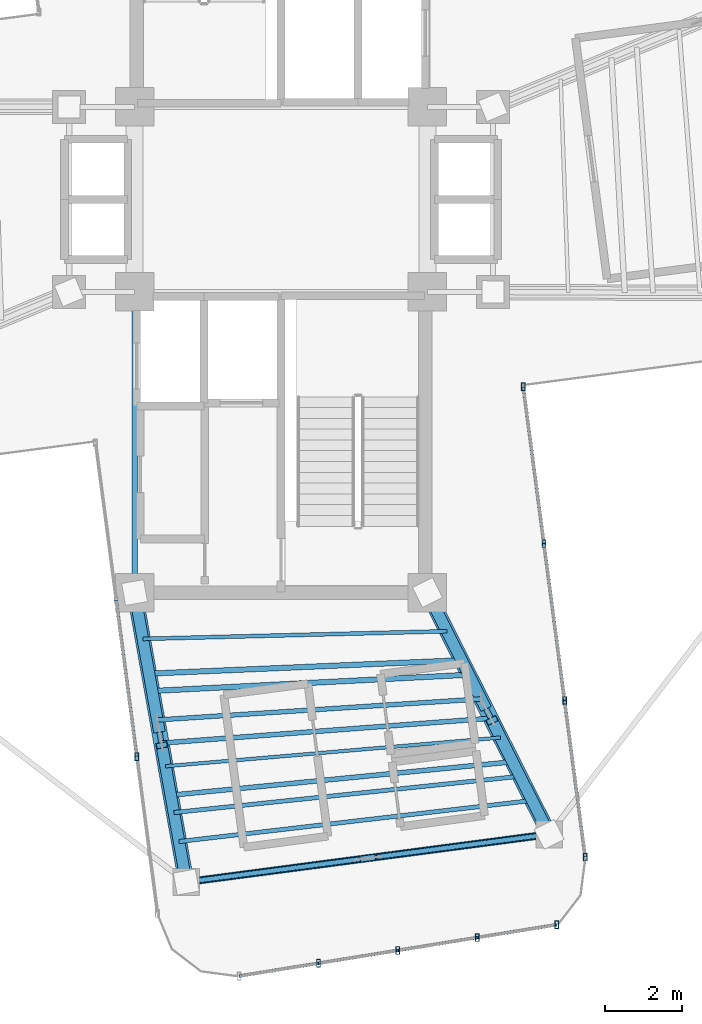
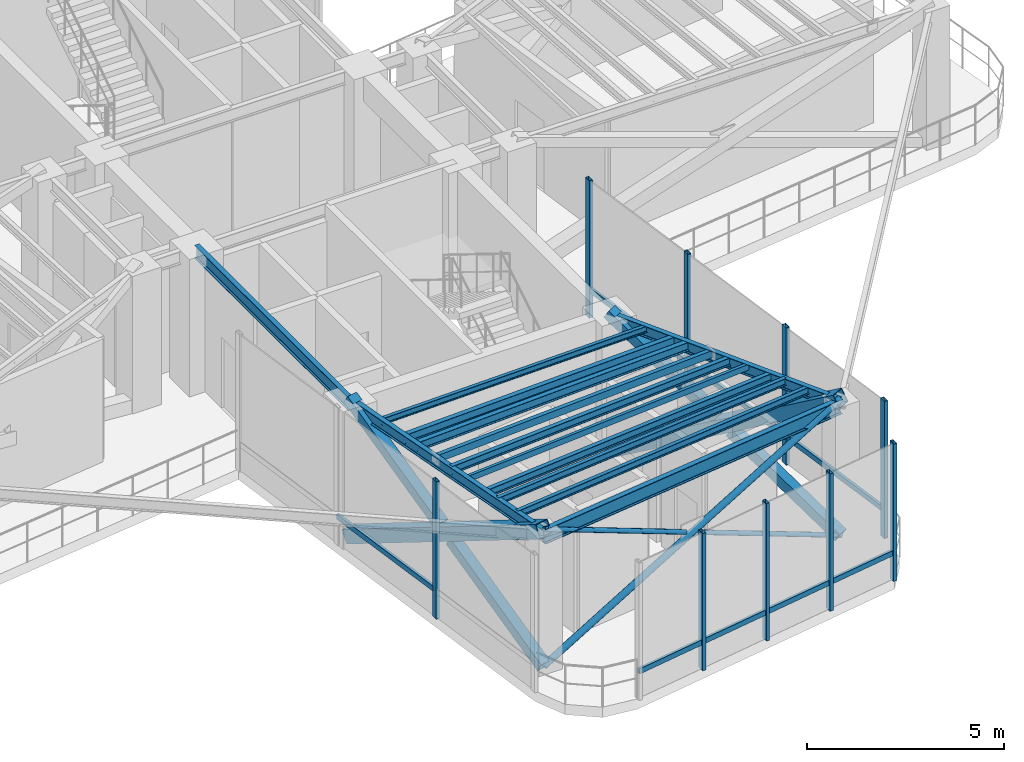
# One storey, part 3 of 17: 26 members, 13 beams, 3 elements without a shape of their own.
"""IFC4 building model written with IfcOpenShell, lengths in metres."""

from ifc_helpers import new_model, si_unit, direction, frame, origin, origin_2d, place, context, subcontext, project, spatial, hollow_rectangle, hollow_circle, i_section, extrude, source, transform, mapped, material, material_profile, profile_set, type_object, element, aggregate, save


model = new_model("IFC4")

# Units and contexts
model_context = context("Model", 3, precision=1e-05, world=origin(), true_north=direction((0.0, 1.0)))
body_context = subcontext(model_context, "Body", "Model", "MODEL_VIEW")
ifc_project = project(units=[si_unit("LENGTHUNIT", "METRE"), si_unit("AREAUNIT", "SQUARE_METRE"), si_unit("VOLUMEUNIT", "CUBIC_METRE"), si_unit("PLANEANGLEUNIT", "RADIAN"), si_unit("MASSUNIT", "GRAM", prefix="KILO")], contexts=[model_context])

# Site, building, storey
site_placement = place(None, origin())
site = spatial("IfcSite", under=ifc_project, at=site_placement, CompositionType="ELEMENT")
building_placement = place(site_placement, origin())
building = spatial("IfcBuilding", under=site, at=building_placement, Name="Sahyath Konkavel Grand Hotel", CompositionType="ELEMENT")
storey_placement = place(building_placement, frame((0.0, 0.0, 264.60009765625)))
storey = spatial("IfcBuildingStorey", under=building, at=storey_placement, Name="L74", CompositionType="ELEMENT", Elevation=264.60009765625)

# Beams
ifc_material_1 = material(Name="Steel E350", Category="steel")
ifc_material_profile_1 = material_profile(ifc_material_1, i_section(OverallWidth=0.139892578125, OverallDepth=0.39990234375, WebThickness=0.0087890625, FlangeThickness=0.01611328125, FilletRadius=0.013916015625, at=origin_2d()), Name="ISMB 400")
ifc_profile_set_1 = profile_set([ifc_material_profile_1], Name="Steel E350")
beam_type_1 = type_object("IfcBeamType", Name="BM-ISMB400", PredefinedType="BEAM", material=ifc_profile_set_1)
shared_shape_1 = source(origin(), body_context, "Body", "SweptSolid", [
    extrude(i_section(OverallWidth=0.139892578125, OverallDepth=0.39990234375, WebThickness=0.0087890625, FlangeThickness=0.01611328125, FilletRadius=0.013916015625, at=origin_2d()), origin(), (0.0, 0.0, 1.0), 7.800048828125),
])
beam_1_placement = place(storey_placement, frame((-3.800048828125, -10.199951171875, 4.059814453125), z_axis=(0.0, 1.0, 0.0), x_axis=(-1.0, 0.0, 0.0)))
element("IfcBeam", 1, at=beam_1_placement, inside=storey, type_object=beam_type_1, Name="str:bm:L74:SC-W", PredefinedType="BEAM", context=body_context, shape_type="MappedRepresentation", body=[
    mapped(shared_shape_1, transform((0.0, 0.0, 0.0), scale=1.0)),
])
ifc_material_profile_2 = material_profile(ifc_material_1, i_section(OverallWidth=0.139892578125, OverallDepth=0.35009765625, WebThickness=0.008056640625, FlangeThickness=0.01416015625, FilletRadius=0.013916015625, at=origin_2d()), Name="ISMB 350")
ifc_profile_set_2 = profile_set([ifc_material_profile_2], Name="Steel E350")
beam_type_2 = type_object("IfcBeamType", Name="BM-ISMB350", PredefinedType="BEAM", material=ifc_profile_set_2)
shared_shape_2 = source(origin(), body_context, "Body", "SweptSolid", [
    extrude(i_section(OverallWidth=0.139892578125, OverallDepth=0.35009765625, WebThickness=0.008056640625, FlangeThickness=0.01416015625, FilletRadius=0.013916015625, at=origin_2d()), origin(), (0.0, 0.0, 1.0), 7.631103515625),
])
beam_2_placement = place(storey_placement, frame((-3.800048828125, -10.199951171875, 4.0849609375), z_axis=(0.175734167088, -0.984437658015, 0.0), x_axis=(0.984437658015, 0.175734167088, 0.0)))
element("IfcBeam", 2, at=beam_2_placement, inside=storey, type_object=beam_type_2, Name="L74 Cruciform Radial Girder SA", PredefinedType="BEAM", context=body_context, shape_type="MappedRepresentation", body=[
    mapped(shared_shape_2, transform((0.0, 0.0, 0.0), scale=1.0)),
])
shared_shape_3 = source(origin(), body_context, "Body", "SweptSolid", [
    extrude(i_section(OverallWidth=0.139892578125, OverallDepth=0.35009765625, WebThickness=0.008056640625, FlangeThickness=0.01416015625, FilletRadius=0.013916015625, at=origin_2d()), origin(), (0.0, 0.0, 1.0), 7.0234375),
])
beam_3_placement = place(storey_placement, frame((3.800048828125, -10.199951171875, 4.0849609375), z_axis=(0.449881274382, -0.893088371305, 0.0), x_axis=(0.893088371305, 0.449881274382, 0.0)))
element("IfcBeam", 3, at=beam_3_placement, inside=storey, type_object=beam_type_2, Name="L74 Cruciform Radial Girder SB", PredefinedType="BEAM", context=body_context, shape_type="MappedRepresentation", body=[
    mapped(shared_shape_3, transform((0.0, 0.0, 0.0), scale=1.0)),
])
ifc_material_profile_3 = material_profile(ifc_material_1, i_section(OverallWidth=0.14990234375, OverallDepth=0.449951171875, WebThickness=0.009521484375, FlangeThickness=0.017333984375, FilletRadius=0.014892578125, at=origin_2d()), Name="ISMB 450")
ifc_profile_set_3 = profile_set([ifc_material_profile_3], Name="Steel E350")
beam_type_3 = type_object("IfcBeamType", Name="BM-ISMB450", PredefinedType="BEAM", material=ifc_profile_set_3)
shared_shape_4 = source(origin(), body_context, "Body", "SweptSolid", [
    extrude(i_section(OverallWidth=0.14990234375, OverallDepth=0.449951171875, WebThickness=0.009521484375, FlangeThickness=0.017333984375, FilletRadius=0.014892578125, at=origin_2d()), origin(), (0.0, 0.0, 1.0), 9.5),
])
beam_4_placement = place(storey_placement, frame((-2.458984375, -17.71240234375, 4.034912109375), z_axis=(0.991444933556, 0.130525643939, 0.0), x_axis=(-0.130525643939, 0.991444933556, 0.0)))
element("IfcBeam", 4, at=beam_4_placement, inside=storey, type_object=beam_type_3, Name="L74 Wing Tip Edge Beam S", PredefinedType="BEAM", context=body_context, shape_type="MappedRepresentation", body=[
    mapped(shared_shape_4, transform((0.0, 0.0, 0.0), scale=1.0)),
])
ifc_material_profile_4 = material_profile(ifc_material_1, i_section(OverallWidth=0.139892578125, OverallDepth=0.27490234375, WebThickness=0.00634765625, FlangeThickness=0.0087890625, FilletRadius=0.012939453125, at=origin_2d()), Name="ISLB 275")
ifc_profile_set_4 = profile_set([ifc_material_profile_4], Name="Steel E350")
beam_type_4 = type_object("IfcBeamType", Name="BM-ISLB275", PredefinedType="BEAM", material=ifc_profile_set_4)
shared_shape_5 = source(origin(), body_context, "Body", "SweptSolid", [
    extrude(i_section(OverallWidth=0.139892578125, OverallDepth=0.27490234375, WebThickness=0.00634765625, FlangeThickness=0.0087890625, FilletRadius=0.012939453125, at=origin_2d()), origin(), (0.0, 0.0, 1.0), 8.11669921875),
])
beam_5_placement = place(storey_placement, frame((-3.424560546875, -12.303466796875, 4.122314453125), z_axis=(0.999084879956, 0.042771516718, 0.0), x_axis=(-0.042771516718, 0.999084879956, 0.0)))
element("IfcBeam", 5, at=beam_5_placement, inside=storey, type_object=beam_type_4, Name="L74 Secondary Floor Beam S-1", PredefinedType="BEAM", context=body_context, shape_type="MappedRepresentation", body=[
    mapped(shared_shape_5, transform((0.0, 0.0, 0.0), scale=1.0)),
])
ifc_material_profile_5 = material_profile(ifc_material_1, i_section(OverallWidth=0.125, OverallDepth=0.25, WebThickness=0.0068359375, FlangeThickness=0.012451171875, FilletRadius=0.012939453125, at=origin_2d()), Name="ISMB 250")
ifc_profile_set_5 = profile_set([ifc_material_profile_5], Name="Steel E350")
beam_type_5 = type_object("IfcBeamType", Name="BM-ISMB250", PredefinedType="BEAM", material=ifc_profile_set_5)
shared_shape_6 = source(origin(), body_context, "Body", "SweptSolid", [
    extrude(i_section(OverallWidth=0.125, OverallDepth=0.25, WebThickness=0.0068359375, FlangeThickness=0.012451171875, FilletRadius=0.012939453125, at=origin_2d()), origin(), (0.0, 0.0, 1.0), 8.570068359375),
])
beam_6_placement = place(storey_placement, frame((-3.102783203125, -14.1064453125, 4.135009765625), z_axis=(0.997165854664, 0.075234688098, 0.0), x_axis=(-0.075234688098, 0.997165854664, 0.0)))
element("IfcBeam", 6, at=beam_6_placement, inside=storey, type_object=beam_type_5, Name="L74 Secondary Floor Beam S-2", PredefinedType="BEAM", context=body_context, shape_type="MappedRepresentation", body=[
    mapped(shared_shape_6, transform((0.0, 0.0, 0.0), scale=1.0)),
])
ifc_material_profile_6 = material_profile(ifc_material_1, i_section(OverallWidth=0.110107421875, OverallDepth=0.22509765625, WebThickness=0.006591796875, FlangeThickness=0.01171875, FilletRadius=0.011962890625, at=origin_2d()), Name="ISMB 225")
ifc_profile_set_6 = profile_set([ifc_material_profile_6], Name="Steel E350")
beam_type_6 = type_object("IfcBeamType", Name="BM-ISMB225", PredefinedType="BEAM", material=ifc_profile_set_6)
shared_shape_7 = source(origin(), body_context, "Body", "SweptSolid", [
    extrude(i_section(OverallWidth=0.110107421875, OverallDepth=0.22509765625, WebThickness=0.006591796875, FlangeThickness=0.01171875, FilletRadius=0.011962890625, at=origin_2d()), origin(), (0.0, 0.0, 1.0), 9.03173828125),
])
beam_7_placement = place(storey_placement, frame((-2.781005859375, -15.909423828125, 4.1474609375), z_axis=(0.99454153435, 0.104341441688, 0.0), x_axis=(-0.104341441688, 0.99454153435, 0.0)))
element("IfcBeam", 7, at=beam_7_placement, inside=storey, type_object=beam_type_6, Name="L74 Secondary Floor Beam S-3", PredefinedType="BEAM", context=body_context, shape_type="MappedRepresentation", body=[
    mapped(shared_shape_7, transform((0.0, 0.0, 0.0), scale=1.0)),
])

# Members
ifc_material_2 = material(Name="Steel E450", Category="steel")
ifc_material_profile_7 = material_profile(ifc_material_2, hollow_rectangle(XDim=0.39990234375, YDim=0.39990234375, WallThickness=0.02001953125, at=origin_2d()), Name="SHS 400x400x20")
ifc_profile_set_7 = profile_set([ifc_material_profile_7], Name="Steel E450")
member_type_1 = type_object("IfcMemberType", Name="BR-SHS400", PredefinedType="BRACE", material=ifc_profile_set_7)
shared_shape_8 = source(origin(), body_context, "Body", "SweptSolid", [
    extrude(hollow_rectangle(XDim=0.39990234375, YDim=0.39990234375, WallThickness=0.02001953125, at=origin_2d()), origin(), (0.0, 0.0, 1.0), 8.72998046875),
])
member_1_placement = place(storey_placement, frame((-3.800048828125, -10.199951171875, 0.010009765625), z_axis=(0.153615636754, -0.860532816049, 0.485680459404), x_axis=(0.984437658015, 0.175734167088, 0.0)))
element("IfcMember", 8, at=member_1_placement, inside=storey, type_object=member_type_1, Name="L74 Core Outrigger Truss SA Continuous Diagonal 1", PredefinedType="BRACE", context=body_context, shape_type="MappedRepresentation", body=[
    mapped(shared_shape_8, transform((0.0, 0.0, 0.0), scale=1.0)),
])
ifc_material_profile_8 = material_profile(ifc_material_2, hollow_rectangle(XDim=0.300048828125, YDim=0.300048828125, WallThickness=0.01611328125, at=origin_2d()), Name="SHS 300x300x16")
ifc_profile_set_8 = profile_set([ifc_material_profile_8], Name="Steel E450")
member_type_2 = type_object("IfcMemberType", Name="BR-SHS300", PredefinedType="BRACE", material=ifc_profile_set_8)
shared_shape_9 = source(origin(), body_context, "Body", "SweptSolid", [
    extrude(hollow_rectangle(XDim=0.300048828125, YDim=0.300048828125, WallThickness=0.01611328125, at=origin_2d()), origin(), (0.0, 0.0, 1.0), 4.124755859375),
])
member_2_placement = place(storey_placement, frame((-2.458984375, -17.71240234375, 0.010009765625), z_axis=(-0.153654190825, 0.860546332978, 0.485644312682), x_axis=(-0.984430504714, -0.175774234145, 0.0)))
element("IfcMember", 9, at=member_2_placement, inside=storey, type_object=member_type_2, Name="L74 Core Outrigger Truss SA Split Lower Diagonal 2A", PredefinedType="BRACE", context=body_context, shape_type="MappedRepresentation", body=[
    mapped(shared_shape_9, transform((0.0, 0.0, 0.0), scale=1.0)),
])
shared_shape_10 = source(origin(), body_context, "Body", "SweptSolid", [
    extrude(hollow_rectangle(XDim=0.300048828125, YDim=0.300048828125, WallThickness=0.01611328125, at=origin_2d()), origin(), (0.0, 0.0, 1.0), 4.125),
])
member_3_placement = place(storey_placement, frame((-3.16650390625, -13.749755859375, 2.24658203125), z_axis=(-0.153584160863, 0.860544778016, 0.485669219285), x_axis=(-0.984444309225, -0.175696903882, 0.0)))
element("IfcMember", 10, at=member_3_placement, inside=storey, type_object=member_type_2, Name="L74 Core Outrigger Truss SA Split Upper Diagonal 2B", PredefinedType="BRACE", context=body_context, shape_type="MappedRepresentation", body=[
    mapped(shared_shape_10, transform((0.0, 0.0, 0.0), scale=1.0)),
])
shared_shape_11 = source(origin(), body_context, "Body", "SweptSolid", [
    extrude(hollow_rectangle(XDim=0.39990234375, YDim=0.39990234375, WallThickness=0.02001953125, at=origin_2d()), origin(), (0.0, 0.0, 1.0), 8.203857421875),
])
member_4_placement = place(storey_placement, frame((3.800048828125, -10.199951171875, 0.010009765625), z_axis=(0.385139867492, -0.764566023459, 0.516823062798), x_axis=(0.893088371305, 0.449881274382, 0.0)))
element("IfcMember", 11, at=member_4_placement, inside=storey, type_object=member_type_1, Name="L74 Core Outrigger Truss SB Continuous Diagonal 1", PredefinedType="BRACE", context=body_context, shape_type="MappedRepresentation", body=[
    mapped(shared_shape_11, transform((0.0, 0.0, 0.0), scale=1.0)),
])
shared_shape_12 = source(origin(), body_context, "Body", "SweptSolid", [
    extrude(hollow_rectangle(XDim=0.300048828125, YDim=0.300048828125, WallThickness=0.01611328125, at=origin_2d()), origin(), (0.0, 0.0, 1.0), 3.86181640625),
])
member_5_placement = place(storey_placement, frame((6.959716796875, -16.472412109375, 0.010009765625), z_axis=(-0.385185626558, 0.764555221992, 0.516804939622), x_axis=(-0.893064340928, -0.449928975465, 0.0)))
element("IfcMember", 12, at=member_5_placement, inside=storey, type_object=member_type_2, Name="L74 Core Outrigger Truss SB Split Lower Diagonal 2A", PredefinedType="BRACE", context=body_context, shape_type="MappedRepresentation", body=[
    mapped(shared_shape_12, transform((0.0, 0.0, 0.0), scale=1.0)),
])
shared_shape_13 = source(origin(), body_context, "Body", "SweptSolid", [
    extrude(hollow_rectangle(XDim=0.300048828125, YDim=0.300048828125, WallThickness=0.01611328125, at=origin_2d()), origin(), (0.0, 0.0, 1.0), 3.862060546875),
])
member_6_placement = place(storey_placement, frame((5.287353515625, -13.15283203125, 2.25390625), z_axis=(-0.385100589604, 0.764575120035, 0.516838874031), x_axis=(-0.893108955182, -0.449840409671, 0.0)))
element("IfcMember", 13, at=member_6_placement, inside=storey, type_object=member_type_2, Name="L74 Core Outrigger Truss SB Split Upper Diagonal 2B", PredefinedType="BRACE", context=body_context, shape_type="MappedRepresentation", body=[
    mapped(shared_shape_13, transform((0.0, 0.0, 0.0), scale=1.0)),
])
ifc_material_profile_9 = material_profile(ifc_material_1, hollow_circle(Radius=0.096923828125, WallThickness=0.010009765625, at=origin_2d()), Name="CHS 193.7x10")
ifc_profile_set_9 = profile_set([ifc_material_profile_9], Name="Steel E350")
member_type_3 = type_object("IfcMemberType", Name="BR-CHS194", PredefinedType="BRACE", material=ifc_profile_set_9)
shared_shape_14 = source(origin(), body_context, "Body", "SweptSolid", [
    extrude(hollow_circle(Radius=0.096923828125, WallThickness=0.010009765625, at=origin_2d()), origin(), (0.0, 0.0, 1.0), 10.4033203125),
])
member_7_placement = place(storey_placement, frame((-2.458984375, -17.71240234375, 0.010009765625), z_axis=(0.905363868345, 0.119192905138, 0.407565108001), x_axis=(-0.130525643939, 0.991444933556, 0.0)))
element("IfcMember", 14, at=member_7_placement, inside=storey, type_object=member_type_3, Name="L74 Perimeter Belt Truss TIP-S Continuous Diagonal 1", PredefinedType="BRACE", context=body_context, shape_type="MappedRepresentation", body=[
    mapped(shared_shape_14, transform((0.0, 0.0, 0.0), scale=1.0)),
])
ifc_material_profile_10 = material_profile(ifc_material_1, hollow_circle(Radius=0.06982421875, WallThickness=0.008056640625, at=origin_2d()), Name="CHS 139.7x8")
ifc_profile_set_10 = profile_set([ifc_material_profile_10], Name="Steel E350")
member_type_4 = type_object("IfcMemberType", Name="BR-CHS140", PredefinedType="STRUT", material=ifc_profile_set_10)
shared_shape_15 = source(origin(), body_context, "Body", "SweptSolid", [
    extrude(hollow_circle(Radius=0.06982421875, WallThickness=0.008056640625, at=origin_2d()), origin(), (0.0, 0.0, 1.0), 4.961669921875),
])
member_8_placement = place(storey_placement, frame((6.959716796875, -16.472412109375, 0.010009765625), z_axis=(-0.905380199159, -0.119224794704, 0.407519500513), x_axis=(0.130557655504, -0.991440718646, 0.0)))
element("IfcMember", 15, at=member_8_placement, inside=storey, type_object=member_type_4, Name="L74 Perimeter Belt Truss TIP-S Split Lower Diagonal 2A", PredefinedType="STRUT", context=body_context, shape_type="MappedRepresentation", body=[
    mapped(shared_shape_15, transform((0.0, 0.0, 0.0), scale=1.0)),
])
shared_shape_16 = source(origin(), body_context, "Body", "SweptSolid", [
    extrude(hollow_circle(Radius=0.06982421875, WallThickness=0.008056640625, at=origin_2d()), origin(), (0.0, 0.0, 1.0), 4.96142578125),
])
member_9_placement = place(storey_placement, frame((2.032958984375, -17.12109375, 2.227783203125), z_axis=(-0.905358481118, -0.119179207634, 0.407581080444), x_axis=(0.130511662961, -0.991446774079, 0.0)))
element("IfcMember", 16, at=member_9_placement, inside=storey, type_object=member_type_4, Name="L74 Perimeter Belt Truss TIP-S Split Upper Diagonal 2B", PredefinedType="STRUT", context=body_context, shape_type="MappedRepresentation", body=[
    mapped(shared_shape_16, transform((0.0, 0.0, 0.0), scale=1.0)),
])

# Beams
ifc_material_profile_11 = material_profile(ifc_material_1, i_section(OverallWidth=0.10009765625, OverallDepth=0.199951171875, WebThickness=0.005615234375, FlangeThickness=0.0107421875, FilletRadius=0.010986328125, at=origin_2d()), Name="ISMB 200")
ifc_profile_set_11 = profile_set([ifc_material_profile_11], Name="Steel E350")
beam_type_7 = type_object("IfcBeamType", Name="BM-ISMB200", PredefinedType="BEAM", material=ifc_profile_set_11)
shared_shape_17 = source(origin(), body_context, "Body", "SweptSolid", [
    extrude(i_section(OverallWidth=0.10009765625, OverallDepth=0.199951171875, WebThickness=0.005615234375, FlangeThickness=0.0107421875, FilletRadius=0.010986328125, at=origin_2d()), origin(), (0.0, 0.0, 1.0), 7.893310546875),
])
beam_8_placement = place(storey_placement, frame((-3.58544921875, -11.402099609375, 4.159912109375), z_axis=(0.999683790083, 0.025145970772, 0.0), x_axis=(-0.025145970772, 0.999683790083, 0.0)))
element("IfcBeam", 17, at=beam_8_placement, inside=storey, type_object=beam_type_7, Name="L74 Composite Deck Sub-Beam S-1", PredefinedType="BEAM", context=body_context, shape_type="MappedRepresentation", body=[
    mapped(shared_shape_17, transform((0.0, 0.0, 0.0), scale=1.0)),
])
shared_shape_18 = source(origin(), body_context, "Body", "SweptSolid", [
    extrude(i_section(OverallWidth=0.139892578125, OverallDepth=0.27490234375, WebThickness=0.00634765625, FlangeThickness=0.0087890625, FilletRadius=0.012939453125, at=origin_2d()), origin(), (0.0, 0.0, 1.0), 8.22900390625),
])
beam_9_placement = place(storey_placement, frame((-3.343994140625, -12.754150390625, 4.122314453125), z_axis=(0.998686534875, 0.051236754968, 0.0), x_axis=(-0.051236754968, 0.998686534875, 0.0)))
element("IfcBeam", 18, at=beam_9_placement, inside=storey, type_object=beam_type_4, Name="L74 Composite Deck Sub-Beam S-2", PredefinedType="BEAM", context=body_context, shape_type="MappedRepresentation", body=[
    mapped(shared_shape_18, transform((0.0, 0.0, 0.0), scale=1.0)),
])
ifc_material_profile_12 = material_profile(ifc_material_1, hollow_rectangle(XDim=0.1201171875, YDim=0.219970703125, WallThickness=0.010009765625, at=origin_2d()), Name="RHS 220x120x10")
ifc_profile_set_12 = profile_set([ifc_material_profile_12], Name="Steel E350")
beam_type_8 = type_object("IfcBeamType", Name="BM-RHS220", PredefinedType="BEAM", material=ifc_profile_set_12)
shared_shape_19 = source(origin(), body_context, "Body", "SweptSolid", [
    extrude(hollow_rectangle(XDim=0.1201171875, YDim=0.219970703125, WallThickness=0.010009765625, at=origin_2d()), origin(), (0.0, 0.0, 1.0), 8.41796875),
])
beam_10_placement = place(storey_placement, frame((-3.2099609375, -13.505615234375, 4.14990234375), z_axis=(0.997896901011, 0.064821099595, 0.0), x_axis=(-0.064821099595, 0.997896901011, 0.0)))
element("IfcBeam", 19, at=beam_10_placement, inside=storey, type_object=beam_type_8, Name="L74 Composite Deck Sub-Beam S-3", PredefinedType="BEAM", context=body_context, shape_type="MappedRepresentation", body=[
    mapped(shared_shape_19, transform((0.0, 0.0, 0.0), scale=1.0)),
])
ifc_material_profile_13 = material_profile(ifc_material_1, hollow_rectangle(XDim=0.090087890625, YDim=0.179931640625, WallThickness=0.008056640625, at=origin_2d()), Name="RHS 180x90x8")
ifc_profile_set_13 = profile_set([ifc_material_profile_13], Name="Steel E350")
beam_type_9 = type_object("IfcBeamType", Name="BM-RHS180", PredefinedType="BEAM", material=ifc_profile_set_13)
shared_shape_20 = source(origin(), body_context, "Body", "SweptSolid", [
    extrude(hollow_rectangle(XDim=0.090087890625, YDim=0.179931640625, WallThickness=0.008056640625, at=origin_2d()), origin(), (0.0, 0.0, 1.0), 8.72314453125),
])
beam_11_placement = place(storey_placement, frame((-2.99560546875, -14.70751953125, 4.169921875), z_axis=(0.996354809397, 0.085305883681, 0.0), x_axis=(-0.085305883681, 0.996354809397, 0.0)))
element("IfcBeam", 20, at=beam_11_placement, inside=storey, type_object=beam_type_9, Name="L74 Composite Deck Sub-Beam S-4", PredefinedType="BEAM", context=body_context, shape_type="MappedRepresentation", body=[
    mapped(shared_shape_20, transform((0.0, 0.0, 0.0), scale=1.0)),
])
shared_shape_21 = source(origin(), body_context, "Body", "SweptSolid", [
    extrude(i_section(OverallWidth=0.125, OverallDepth=0.25, WebThickness=0.0068359375, FlangeThickness=0.012451171875, FilletRadius=0.012939453125, at=origin_2d()), origin(), (0.0, 0.0, 1.0), 8.915283203125),
])
beam_12_placement = place(storey_placement, frame((-2.861328125, -15.458740234375, 4.135009765625), z_axis=(0.995250138935, 0.097350711092, 0.0), x_axis=(-0.097350711092, 0.995250138935, 0.0)))
element("IfcBeam", 21, at=beam_12_placement, inside=storey, type_object=beam_type_5, Name="L74 Composite Deck Sub-Beam S-5", PredefinedType="BEAM", context=body_context, shape_type="MappedRepresentation", body=[
    mapped(shared_shape_21, transform((0.0, 0.0, 0.0), scale=1.0)),
])
shared_shape_22 = source(origin(), body_context, "Body", "SweptSolid", [
    extrude(i_section(OverallWidth=0.110107421875, OverallDepth=0.22509765625, WebThickness=0.006591796875, FlangeThickness=0.01171875, FilletRadius=0.011962890625, at=origin_2d()), origin(), (0.0, 0.0, 1.0), 9.225830078125),
])
beam_13_placement = place(storey_placement, frame((-2.646728515625, -16.660888671875, 4.1474609375), z_axis=(0.993294170833, 0.115614403036, 0.0), x_axis=(-0.115614403036, 0.993294170833, 0.0)))
element("IfcBeam", 22, at=beam_13_placement, inside=storey, type_object=beam_type_6, Name="L74 Composite Deck Sub-Beam S-6", PredefinedType="BEAM", context=body_context, shape_type="MappedRepresentation", body=[
    mapped(shared_shape_22, transform((0.0, 0.0, 0.0), scale=1.0)),
])

# Curtain wall, member
ifc_material_3 = material(Name="Anodised Bronze Aluminium & Low-E Glazing", Category="aluminium")
curtain_wall_type = type_object("IfcCurtainWallType", Name="CW-SKYLOBBY", PredefinedType="NOTDEFINED", material=ifc_material_3)
curtain_wall_1_placement = place(storey_placement, origin())
curtain_wall_1 = element("IfcCurtainWall", 23, at=curtain_wall_1_placement, inside=storey, type_object=curtain_wall_type, Name="L74 Unitised Curtain Wall RF24", PredefinedType="NOTDEFINED")
ifc_material_4 = material(Name="Anodised Bronze Aluminium", Category="aluminium")
ifc_material_profile_14 = material_profile(ifc_material_4, hollow_rectangle(XDim=0.10009765625, YDim=0.199951171875, WallThickness=0.008056640625, at=origin_2d()), Name="RHS 200x100x8")
ifc_profile_set_14 = profile_set([ifc_material_profile_14], Name="Anodised Bronze Aluminium")
member_type_5 = type_object("IfcMemberType", Name="CW-MUL-200", PredefinedType="MULLION", material=ifc_profile_set_14)
shared_shape_23 = source(origin(), body_context, "Body", "SweptSolid", [
    extrude(hollow_rectangle(XDim=0.10009765625, YDim=0.199951171875, WallThickness=0.008056640625, at=origin_2d()), origin(), (0.0, 0.0, 1.0), 4.260009765625),
])
member_10_placement = place(storey_placement, frame((-3.74462890625, -14.458984375, 0.0), z_axis=(0.0, 0.0, 1.0), x_axis=(1.0, 0.0, 0.0)))
member_10 = element("IfcMember", 24, at=member_10_placement, type_object=member_type_5, Name="L74 Curtain Wall Mullion RF24-2", PredefinedType="MULLION", context=body_context, shape_type="MappedRepresentation", body=[
    mapped(shared_shape_23, transform((0.0, 0.0, 0.0), scale=1.0)),
])

# Curtain wall, members
curtain_wall_2_placement = place(storey_placement, origin())
curtain_wall_2 = element("IfcCurtainWall", 25, at=curtain_wall_2_placement, inside=storey, type_object=curtain_wall_type, Name="L74 Unitised Curtain Wall RF28", PredefinedType="NOTDEFINED")
member_11_placement = place(storey_placement, frame((0.9716796875, -19.8203125, 0.0), z_axis=(0.0, 0.0, 1.0), x_axis=(1.0, 0.0, 0.0)))
member_11 = element("IfcMember", 26, at=member_11_placement, type_object=member_type_5, Name="L74 Curtain Wall Mullion RF28-1", PredefinedType="MULLION", context=body_context, shape_type="MappedRepresentation", body=[
    mapped(shared_shape_23, transform((0.0, 0.0, 0.0), scale=1.0)),
])
member_12_placement = place(storey_placement, frame((3.031982421875, -19.487060546875, 0.0), z_axis=(0.0, 0.0, 1.0), x_axis=(1.0, 0.0, 0.0)))
member_12 = element("IfcMember", 27, at=member_12_placement, type_object=member_type_5, Name="L74 Curtain Wall Mullion RF28-2", PredefinedType="MULLION", context=body_context, shape_type="MappedRepresentation", body=[
    mapped(shared_shape_23, transform((0.0, 0.0, 0.0), scale=1.0)),
])
member_13_placement = place(storey_placement, frame((5.09228515625, -19.15380859375, 0.0), z_axis=(0.0, 0.0, 1.0), x_axis=(1.0, 0.0, 0.0)))
member_13 = element("IfcMember", 28, at=member_13_placement, type_object=member_type_5, Name="L74 Curtain Wall Mullion RF28-3", PredefinedType="MULLION", context=body_context, shape_type="MappedRepresentation", body=[
    mapped(shared_shape_23, transform((0.0, 0.0, 0.0), scale=1.0)),
])
member_14_placement = place(storey_placement, frame((7.15283203125, -18.82080078125, 0.0), z_axis=(0.0, 0.0, 1.0), x_axis=(1.0, 0.0, 0.0)))
member_14 = element("IfcMember", 29, at=member_14_placement, type_object=member_type_5, Name="L74 Curtain Wall Mullion RF28-4", PredefinedType="MULLION", context=body_context, shape_type="MappedRepresentation", body=[
    mapped(shared_shape_23, transform((0.0, 0.0, 0.0), scale=1.0)),
])

curtain_wall_3_placement = place(storey_placement, origin())
curtain_wall_3 = element("IfcCurtainWall", 30, at=curtain_wall_3_placement, inside=storey, type_object=curtain_wall_type, Name="L74 Unitised Curtain Wall RF31", PredefinedType="NOTDEFINED")
member_15_placement = place(storey_placement, frame((7.89501953125, -17.0654296875, 0.0), z_axis=(0.0, 0.0, 1.0), x_axis=(1.0, 0.0, 0.0)))
member_15 = element("IfcMember", 31, at=member_15_placement, type_object=member_type_5, Name="L74 Curtain Wall Mullion RF31-0", PredefinedType="MULLION", context=body_context, shape_type="MappedRepresentation", body=[
    mapped(shared_shape_23, transform((0.0, 0.0, 0.0), scale=1.0)),
])
member_16_placement = place(storey_placement, frame((7.359619140625, -12.997314453125, 0.0), z_axis=(0.0, 0.0, 1.0), x_axis=(1.0, 0.0, 0.0)))
member_16 = element("IfcMember", 32, at=member_16_placement, type_object=member_type_5, Name="L74 Curtain Wall Mullion RF31-1", PredefinedType="MULLION", context=body_context, shape_type="MappedRepresentation", body=[
    mapped(shared_shape_23, transform((0.0, 0.0, 0.0), scale=1.0)),
])
member_17_placement = place(storey_placement, frame((6.82373046875, -8.928955078125, 0.0), z_axis=(0.0, 0.0, 1.0), x_axis=(1.0, 0.0, 0.0)))
member_17 = element("IfcMember", 33, at=member_17_placement, type_object=member_type_5, Name="L74 Curtain Wall Mullion RF31-2", PredefinedType="MULLION", context=body_context, shape_type="MappedRepresentation", body=[
    mapped(shared_shape_23, transform((0.0, 0.0, 0.0), scale=1.0)),
])
member_18_placement = place(storey_placement, frame((6.2880859375, -4.86083984375, 0.0), z_axis=(0.0, 0.0, 1.0), x_axis=(1.0, 0.0, 0.0)))
member_18 = element("IfcMember", 34, at=member_18_placement, type_object=member_type_5, Name="L74 Curtain Wall Mullion RF31-3", PredefinedType="MULLION", context=body_context, shape_type="MappedRepresentation", body=[
    mapped(shared_shape_23, transform((0.0, 0.0, 0.0), scale=1.0)),
])

# Member
ifc_material_profile_15 = material_profile(ifc_material_4, hollow_rectangle(XDim=0.080078125, YDim=0.159912109375, WallThickness=0.006103515625, at=origin_2d()), Name="RHS 160x80x6")
ifc_profile_set_15 = profile_set([ifc_material_profile_15], Name="Anodised Bronze Aluminium")
member_type_6 = type_object("IfcMemberType", Name="CW-TRN-160", PredefinedType="USERDEFINED", material=ifc_profile_set_15)
shared_shape_24 = source(origin(), body_context, "Body", "SweptSolid", [
    extrude(hollow_rectangle(XDim=0.080078125, YDim=0.159912109375, WallThickness=0.006103515625, at=origin_2d()), origin(), (0.0, 0.0, 1.0), 2.08740234375),
])
member_19_placement = place(storey_placement, frame((-1.0888671875, -20.1533203125, 0.849853515625), z_axis=(0.98719124923, 0.159541334591, 0.0), x_axis=(-0.159541334591, 0.98719124923, 0.0)))
member_19 = element("IfcMember", 35, at=member_19_placement, type_object=member_type_6, Name="L74 Curtain Wall Transom RF28-0-spandrel", ObjectType="TRANSOM", PredefinedType="USERDEFINED", context=body_context, shape_type="MappedRepresentation", body=[
    mapped(shared_shape_24, transform((0.0, 0.0, 0.0), scale=1.0)),
])

member_20_placement = place(storey_placement, frame((5.09228515625, -19.15380859375, 0.849853515625), z_axis=(0.98719124923, 0.159541334591, 0.0), x_axis=(-0.159541334591, 0.98719124923, 0.0)))
member_20 = element("IfcMember", 36, at=member_20_placement, type_object=member_type_6, Name="L74 Curtain Wall Transom RF28-3-spandrel", ObjectType="TRANSOM", PredefinedType="USERDEFINED", context=body_context, shape_type="MappedRepresentation", body=[
    mapped(shared_shape_24, transform((0.0, 0.0, 0.0), scale=1.0)),
])

shared_shape_25 = source(origin(), body_context, "Body", "SweptSolid", [
    extrude(hollow_rectangle(XDim=0.080078125, YDim=0.159912109375, WallThickness=0.006103515625, at=origin_2d()), origin(), (0.0, 0.0, 1.0), 2.087158203125),
])
member_21_placement = place(storey_placement, frame((0.9716796875, -19.8203125, 0.849853515625), z_axis=(0.98716983924, 0.159673756436, 0.0), x_axis=(-0.159673756436, 0.98716983924, 0.0)))
member_21 = element("IfcMember", 37, at=member_21_placement, type_object=member_type_6, Name="L74 Curtain Wall Transom RF28-1-spandrel", ObjectType="TRANSOM", PredefinedType="USERDEFINED", context=body_context, shape_type="MappedRepresentation", body=[
    mapped(shared_shape_25, transform((0.0, 0.0, 0.0), scale=1.0)),
])

member_22_placement = place(storey_placement, frame((3.031982421875, -19.487060546875, 0.849853515625), z_axis=(0.98716983924, 0.159673756436, 0.0), x_axis=(-0.159673756436, 0.98716983924, 0.0)))
member_22 = element("IfcMember", 38, at=member_22_placement, type_object=member_type_6, Name="L74 Curtain Wall Transom RF28-2-spandrel", ObjectType="TRANSOM", PredefinedType="USERDEFINED", context=body_context, shape_type="MappedRepresentation", body=[
    mapped(shared_shape_25, transform((0.0, 0.0, 0.0), scale=1.0)),
])

aggregate(curtain_wall_2, [member_11, member_12, member_13, member_14, member_19, member_21, member_22, member_20])

shared_shape_26 = source(origin(), body_context, "Body", "SweptSolid", [
    extrude(hollow_rectangle(XDim=0.080078125, YDim=0.159912109375, WallThickness=0.006103515625, at=origin_2d()), origin(), (0.0, 0.0, 1.0), 4.103271484375),
])
member_23_placement = place(storey_placement, frame((-4.2802734375, -10.390869140625, 0.849853515625), z_axis=(0.130542242661, -0.991442748161, 0.0), x_axis=(0.991442748161, 0.130542242661, 0.0)))
member_23 = element("IfcMember", 39, at=member_23_placement, type_object=member_type_6, Name="L74 Curtain Wall Transom RF24-1-spandrel", ObjectType="TRANSOM", PredefinedType="USERDEFINED", context=body_context, shape_type="MappedRepresentation", body=[
    mapped(shared_shape_26, transform((0.0, 0.0, 0.0), scale=1.0)),
])

aggregate(curtain_wall_1, [member_10, member_23])

member_24_placement = place(storey_placement, frame((7.89501953125, -17.0654296875, 0.849853515625), z_axis=(-0.130483756275, 0.991450447248, 0.0), x_axis=(-0.991450447248, -0.130483756275, 0.0)))
member_24 = element("IfcMember", 40, at=member_24_placement, type_object=member_type_6, Name="L74 Curtain Wall Transom RF31-0-spandrel", ObjectType="TRANSOM", PredefinedType="USERDEFINED", context=body_context, shape_type="MappedRepresentation", body=[
    mapped(shared_shape_26, transform((0.0, 0.0, 0.0), scale=1.0)),
])

member_25_placement = place(storey_placement, frame((6.82373046875, -8.928955078125, 0.849853515625), z_axis=(-0.130542242661, 0.991442748161, 0.0), x_axis=(-0.991442748161, -0.130542242661, 0.0)))
member_25 = element("IfcMember", 41, at=member_25_placement, type_object=member_type_6, Name="L74 Curtain Wall Transom RF31-2-spandrel", ObjectType="TRANSOM", PredefinedType="USERDEFINED", context=body_context, shape_type="MappedRepresentation", body=[
    mapped(shared_shape_26, transform((0.0, 0.0, 0.0), scale=1.0)),
])

shared_shape_27 = source(origin(), body_context, "Body", "SweptSolid", [
    extrude(hollow_rectangle(XDim=0.080078125, YDim=0.159912109375, WallThickness=0.006103515625, at=origin_2d()), origin(), (0.0, 0.0, 1.0), 4.103515625),
])
member_26_placement = place(storey_placement, frame((7.359619140625, -12.997314453125, 0.849853515625), z_axis=(-0.130593024052, 0.991436060505, 0.0), x_axis=(-0.991436060505, -0.130593024052, 0.0)))
member_26 = element("IfcMember", 42, at=member_26_placement, type_object=member_type_6, Name="L74 Curtain Wall Transom RF31-1-spandrel", ObjectType="TRANSOM", PredefinedType="USERDEFINED", context=body_context, shape_type="MappedRepresentation", body=[
    mapped(shared_shape_27, transform((0.0, 0.0, 0.0), scale=1.0)),
])

aggregate(curtain_wall_3, [member_15, member_16, member_17, member_18, member_24, member_26, member_25])

save(model, "model.ifc")
